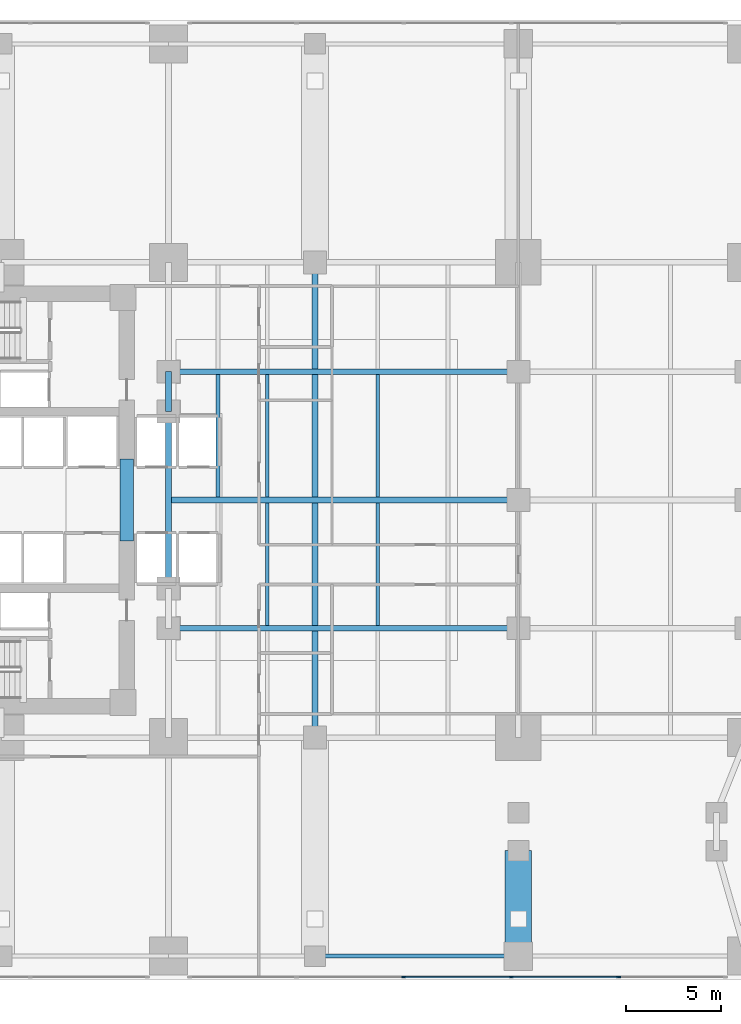
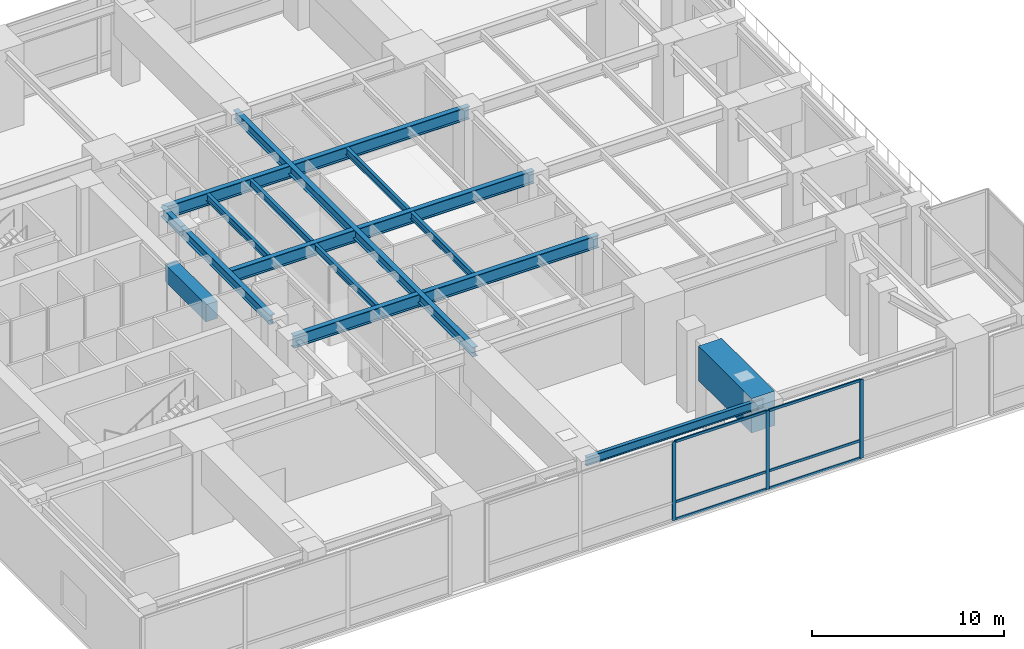
# One storey, part 3 of 14: 14 beams, 9 members, 1 element without a shape of its own.
"""IFC4 building model written with IfcOpenShell, lengths in metres."""

from ifc_helpers import new_model, si_unit, direction, frame, origin, origin_2d, place, context, subcontext, project, spatial, rectangle, i_section, extrude, material, layer, layer_set, material_profile, profile_set, type_object, element, aggregate, save


model = new_model("IFC4")

# Units and contexts
model_context = context("Model", 3, precision=1e-05, world=origin(), true_north=direction((0.0, 1.0)))
body_context = subcontext(model_context, "Body", "Model", "MODEL_VIEW")
ifc_project = project(units=[si_unit("LENGTHUNIT", "METRE"), si_unit("AREAUNIT", "SQUARE_METRE"), si_unit("VOLUMEUNIT", "CUBIC_METRE"), si_unit("PLANEANGLEUNIT", "RADIAN"), si_unit("MASSUNIT", "GRAM", prefix="KILO")], contexts=[model_context])

# Site, building, storey
site_placement = place(None, origin())
site = spatial("IfcSite", under=ifc_project, at=site_placement, CompositionType="ELEMENT")
building_placement = place(site_placement, origin())
building = spatial("IfcBuilding", under=site, at=building_placement, Name="Kinhvarn Gate Tower", CompositionType="ELEMENT")
storey_placement = place(building_placement, frame((0.0, 0.0, 20.39990234375)))
storey = spatial("IfcBuildingStorey", under=building, at=storey_placement, Name="L04", CompositionType="ELEMENT", Elevation=20.39990234375)

# Beams
ifc_material_1 = material(Name="Concrete C70/85", Category="concrete")
ifc_material_profile_1 = material_profile(ifc_material_1, rectangle(XDim=0.699951171875, YDim=1.10009765625, at=origin_2d()), Name="RC 700x1100")
ifc_profile_set_1 = profile_set([ifc_material_profile_1], Name="Concrete C70/85")
beam_type_1 = type_object("IfcBeamType", Name="BM-CB-1100", PredefinedType="LINTEL", material=ifc_profile_set_1)
beam_1_placement = place(storey_placement, frame((17.60009765625, 23.10009765625, 4.47021484375), z_axis=(0.0, 1.0, 0.0), x_axis=(-1.0, 0.0, 0.0)))
element("IfcBeam", 1, at=beam_1_placement, inside=storey, type_object=beam_type_1, Name="Core East Portal Coupling Beam L04", PredefinedType="LINTEL", context=body_context, shape_type="SweptSolid", body=[
    extrude(rectangle(XDim=0.699951171875, YDim=1.10009765625, at=origin_2d()), origin(), (0.0, 0.0, 1.0), 4.2998046875),
])
ifc_material_2 = material(Name="Concrete C60/75", Category="concrete")
ifc_material_profile_2 = material_profile(ifc_material_2, rectangle(XDim=1.39990234375, YDim=2.199951171875, at=origin_2d()), Name="RC 1400x2200")
ifc_profile_set_2 = profile_set([ifc_material_profile_2], Name="Concrete C60/75")
beam_type_2 = type_object("IfcBeamType", Name="BM-TG-2200", PredefinedType="BEAM", material=ifc_profile_set_2)
beam_2_placement = place(storey_placement, frame((38.199951171875, 1.25, 4.10009765625), z_axis=(0.0, 1.0, 0.0), x_axis=(-1.0, 0.0, 0.0)))
element("IfcBeam", 2, at=beam_2_placement, inside=storey, type_object=beam_type_2, Name="Setback Transfer Girder TG-02-L05-CS-2", PredefinedType="BEAM", context=body_context, shape_type="SweptSolid", body=[
    extrude(rectangle(XDim=1.39990234375, YDim=2.199951171875, at=origin_2d()), origin(), (0.0, 0.0, 1.0), 5.550048828125),
])

# Curtain wall, members
ifc_material_3 = material(Name="Anodised aluminium AW-6063", Category="aluminium")
ifc_layer = layer(ifc_material_3, 0.219970703125)
ifc_layer_set = layer_set([ifc_layer], Name="Anodised aluminium AW-6063")
curtain_wall_type = type_object("IfcCurtainWallType", Name="CW-SYS-1", PredefinedType="NOTDEFINED", material=ifc_layer_set)
curtain_wall_placement = place(storey_placement, origin())
curtain_wall = element("IfcCurtainWall", 3, at=curtain_wall_placement, inside=storey, type_object=curtain_wall_type, Name="Curtain Wall CW1 (L04)", PredefinedType="NOTDEFINED")
ifc_material_profile_3 = material_profile(ifc_material_3, rectangle(XDim=0.080078125, YDim=0.219970703125, at=origin_2d()), Name="ALU 80x220")
ifc_profile_set_3 = profile_set([ifc_material_profile_3], Name="Anodised aluminium AW-6063")
member_type_1 = type_object("IfcMemberType", Name="CW-MUL-220", PredefinedType="MULLION", material=ifc_profile_set_3)
member_1_placement = place(storey_placement, frame((32.176025390625, 0.14990234375, 0.0), z_axis=(0.0, 0.0, 1.0), x_axis=(0.0, 1.0, 0.0)))
member_1 = element("IfcMember", 4, at=member_1_placement, type_object=member_type_1, Name="CW1 mullion 3", PredefinedType="MULLION", context=body_context, shape_type="SweptSolid", body=[
    extrude(rectangle(XDim=0.080078125, YDim=0.219970703125, at=origin_2d()), origin(), (0.0, 0.0, 1.0), 5.02001953125),
])
member_2_placement = place(storey_placement, frame((37.823974609375, 0.14990234375, 0.0), z_axis=(0.0, 0.0, 1.0), x_axis=(0.0, 1.0, 0.0)))
member_2 = element("IfcMember", 5, at=member_2_placement, type_object=member_type_1, Name="CW1 mullion 4", PredefinedType="MULLION", context=body_context, shape_type="SweptSolid", body=[
    extrude(rectangle(XDim=0.080078125, YDim=0.219970703125, at=origin_2d()), origin(), (0.0, 0.0, 1.0), 5.02001953125),
])
member_3_placement = place(storey_placement, frame((43.471923828125, 0.14990234375, 0.0), z_axis=(0.0, 0.0, 1.0), x_axis=(0.0, 1.0, 0.0)))
member_3 = element("IfcMember", 6, at=member_3_placement, type_object=member_type_1, Name="CW1 mullion 5", PredefinedType="MULLION", context=body_context, shape_type="SweptSolid", body=[
    extrude(rectangle(XDim=0.080078125, YDim=0.219970703125, at=origin_2d()), origin(), (0.0, 0.0, 1.0), 5.02001953125),
])
ifc_material_profile_4 = material_profile(ifc_material_3, rectangle(XDim=0.080078125, YDim=0.159912109375, at=origin_2d()), Name="ALU 80x160")
ifc_profile_set_4 = profile_set([ifc_material_profile_4], Name="Anodised aluminium AW-6063")
member_type_2 = type_object("IfcMemberType", Name="CW-TRN-160", PredefinedType="USERDEFINED", material=ifc_profile_set_4)
member_4_placement = place(storey_placement, frame((32.216064453125, 0.14990234375, 0.0400390625), z_axis=(1.0, 0.0, 0.0), x_axis=(0.0, 1.0, 0.0)))
member_4 = element("IfcMember", 7, at=member_4_placement, type_object=member_type_2, Name="CW1 transom 3.1", ObjectType="TRANSOM", PredefinedType="USERDEFINED", context=body_context, shape_type="SweptSolid", body=[
    extrude(rectangle(XDim=0.080078125, YDim=0.159912109375, at=origin_2d()), origin(), (0.0, 0.0, 1.0), 5.56787109375),
])
member_5_placement = place(storey_placement, frame((32.216064453125, 0.14990234375, 1.150146484375), z_axis=(1.0, 0.0, 0.0), x_axis=(0.0, 1.0, 0.0)))
member_5 = element("IfcMember", 8, at=member_5_placement, type_object=member_type_2, Name="CW1 transom 3.2", ObjectType="TRANSOM", PredefinedType="USERDEFINED", context=body_context, shape_type="SweptSolid", body=[
    extrude(rectangle(XDim=0.080078125, YDim=0.159912109375, at=origin_2d()), origin(), (0.0, 0.0, 1.0), 5.56787109375),
])
member_6_placement = place(storey_placement, frame((32.216064453125, 0.14990234375, 4.97998046875), z_axis=(1.0, 0.0, 0.0), x_axis=(0.0, 1.0, 0.0)))
member_6 = element("IfcMember", 9, at=member_6_placement, type_object=member_type_2, Name="CW1 transom 3.3", ObjectType="TRANSOM", PredefinedType="USERDEFINED", context=body_context, shape_type="SweptSolid", body=[
    extrude(rectangle(XDim=0.080078125, YDim=0.159912109375, at=origin_2d()), origin(), (0.0, 0.0, 1.0), 5.56787109375),
])
member_7_placement = place(storey_placement, frame((37.864013671875, 0.14990234375, 0.0400390625), z_axis=(1.0, 0.0, 0.0), x_axis=(0.0, 1.0, 0.0)))
member_7 = element("IfcMember", 10, at=member_7_placement, type_object=member_type_2, Name="CW1 transom 4.1", ObjectType="TRANSOM", PredefinedType="USERDEFINED", context=body_context, shape_type="SweptSolid", body=[
    extrude(rectangle(XDim=0.080078125, YDim=0.159912109375, at=origin_2d()), origin(), (0.0, 0.0, 1.0), 5.56787109375),
])
member_8_placement = place(storey_placement, frame((37.864013671875, 0.14990234375, 1.150146484375), z_axis=(1.0, 0.0, 0.0), x_axis=(0.0, 1.0, 0.0)))
member_8 = element("IfcMember", 11, at=member_8_placement, type_object=member_type_2, Name="CW1 transom 4.2", ObjectType="TRANSOM", PredefinedType="USERDEFINED", context=body_context, shape_type="SweptSolid", body=[
    extrude(rectangle(XDim=0.080078125, YDim=0.159912109375, at=origin_2d()), origin(), (0.0, 0.0, 1.0), 5.56787109375),
])
member_9_placement = place(storey_placement, frame((37.864013671875, 0.14990234375, 4.97998046875), z_axis=(1.0, 0.0, 0.0), x_axis=(0.0, 1.0, 0.0)))
member_9 = element("IfcMember", 12, at=member_9_placement, type_object=member_type_2, Name="CW1 transom 4.3", ObjectType="TRANSOM", PredefinedType="USERDEFINED", context=body_context, shape_type="SweptSolid", body=[
    extrude(rectangle(XDim=0.080078125, YDim=0.159912109375, at=origin_2d()), origin(), (0.0, 0.0, 1.0), 5.56787109375),
])
aggregate(curtain_wall, [member_1, member_2, member_3, member_4, member_5, member_6, member_7, member_8, member_9])

# Beams
ifc_material_4 = material(Name="Steel S355", Category="steel")
ifc_material_profile_5 = material_profile(ifc_material_4, i_section(OverallWidth=0.300048828125, OverallDepth=0.60009765625, WebThickness=0.015380859375, FlangeThickness=0.030029296875, at=origin_2d()), Name="HEB 600")
ifc_profile_set_5 = profile_set([ifc_material_profile_5], Name="Steel S355")
beam_type_3 = type_object("IfcBeamType", Name="STL-HEB600", PredefinedType="BEAM", material=ifc_profile_set_5)
beam_3_placement = place(storey_placement, frame((19.800048828125, 20.60009765625, 4.72021484375), z_axis=(0.0, 1.0, 0.0), x_axis=(-1.0, 0.0, 0.0)))
element("IfcBeam", 13, at=beam_3_placement, inside=storey, type_object=beam_type_3, Name="Floor Beam PG-16 (L04 APW-4)", PredefinedType="BEAM", context=body_context, shape_type="SweptSolid", body=[
    extrude(i_section(OverallWidth=0.300048828125, OverallDepth=0.60009765625, WebThickness=0.015380859375, FlangeThickness=0.030029296875, at=origin_2d()), origin(), (0.0, 0.0, 1.0), 9.2998046875),
])
beam_4_placement = place(storey_placement, frame((19.800048828125, 29.89990234375, 4.72021484375), z_axis=(0.0, 1.0, 0.0), x_axis=(-1.0, 0.0, 0.0)))
element("IfcBeam", 14, at=beam_4_placement, inside=storey, type_object=beam_type_3, Name="Floor Beam PG-16 (L04 APW-5)", PredefinedType="BEAM", context=body_context, shape_type="SweptSolid", body=[
    extrude(i_section(OverallWidth=0.300048828125, OverallDepth=0.60009765625, WebThickness=0.015380859375, FlangeThickness=0.030029296875, at=origin_2d()), origin(), (0.0, 0.0, 1.0), 2.10009765625),
])
beam_5_placement = place(storey_placement, frame((27.5, 12.75, 4.72021484375), z_axis=(0.0, 1.0, 0.0), x_axis=(-1.0, 0.0, 0.0)))
element("IfcBeam", 15, at=beam_5_placement, inside=storey, type_object=beam_type_3, Name="Floor Beam PG-16 (L04 NS27-M)", PredefinedType="BEAM", context=body_context, shape_type="SweptSolid", body=[
    extrude(i_section(OverallWidth=0.300048828125, OverallDepth=0.60009765625, WebThickness=0.015380859375, FlangeThickness=0.030029296875, at=origin_2d()), origin(), (0.0, 0.0, 1.0), 25.0),
])
ifc_material_profile_6 = material_profile(ifc_material_4, i_section(OverallWidth=0.300048828125, OverallDepth=0.800048828125, WebThickness=0.017578125, FlangeThickness=0.032958984375, at=origin_2d()), Name="HEB 800")
ifc_profile_set_6 = profile_set([ifc_material_profile_6], Name="Steel S355")
beam_type_4 = type_object("IfcBeamType", Name="STL-HEB800", PredefinedType="BEAM", material=ifc_profile_set_6)
for number, where, z_axis, x_axis, name in (
    (16, (19.800048828125, 18.5, 4.6201171875), (1.0, 0.0, 0.0), (0.0, 1.0, 0.0), "Floor Beam PG-19 (L04 BM-EW1-18)"),
    (17, (19.800048828125, 25.25, 4.6201171875), (1.0, 0.0, 0.0), (0.0, 1.0, 0.0), "Floor Beam PG-19 (L04 BM-EW1-25)"),
    (18, (19.800048828125, 32.0, 4.6201171875), (1.0, 0.0, 0.0), (0.0, 1.0, 0.0), "Floor Beam PG-19 (L04 BM-EW1-32)"),
):
    element("IfcBeam", number, at=place(storey_placement, frame(where, z_axis=z_axis, x_axis=x_axis)), inside=storey, type_object=beam_type_4, Name=name, PredefinedType="BEAM", context=body_context, shape_type="SweptSolid", body=[
        extrude(i_section(OverallWidth=0.300048828125, OverallDepth=0.800048828125, WebThickness=0.017578125, FlangeThickness=0.032958984375, at=origin_2d()), origin(), (0.0, 0.0, 1.0), 18.39990234375),
    ])
ifc_material_profile_7 = material_profile(ifc_material_4, i_section(OverallWidth=0.18994140625, OverallDepth=0.449951171875, WebThickness=0.009521484375, FlangeThickness=0.0146484375, at=origin_2d()), Name="IPE 450")
ifc_profile_set_7 = profile_set([ifc_material_profile_7], Name="Steel S355")
beam_type_5 = type_object("IfcBeamType", Name="STL-IPE450", PredefinedType="JOIST", material=ifc_profile_set_7)
for number, where, z_axis, x_axis, name in (
    (19, (25.0, 18.64990234375, 4.795166015625), (0.0, 1.0, 0.0), (-1.0, 0.0, 0.0), "Floor Joist SB-06 (L04 J250-18)"),
    (20, (30.800048828125, 18.64990234375, 4.795166015625), (0.0, 1.0, 0.0), (-1.0, 0.0, 0.0), "Floor Joist SB-06 (L04 J308-18)"),
    (21, (22.39990234375, 25.39990234375, 4.795166015625), (0.0, 1.0, 0.0), (-1.0, 0.0, 0.0), "Floor Joist SB-06 (L04 J224-25)"),
    (22, (25.0, 25.39990234375, 4.795166015625), (0.0, 1.0, 0.0), (-1.0, 0.0, 0.0), "Floor Joist SB-06 (L04 J250-25)"),
    (23, (30.800048828125, 25.39990234375, 4.795166015625), (0.0, 1.0, 0.0), (-1.0, 0.0, 0.0), "Floor Joist SB-06 (L04 J308-25)"),
):
    element("IfcBeam", number, at=place(storey_placement, frame(where, z_axis=z_axis, x_axis=x_axis)), inside=storey, type_object=beam_type_5, Name=name, PredefinedType="JOIST", context=body_context, shape_type="SweptSolid", body=[
        extrude(i_section(OverallWidth=0.18994140625, OverallDepth=0.449951171875, WebThickness=0.009521484375, FlangeThickness=0.0146484375, at=origin_2d()), origin(), (0.0, 0.0, 1.0), 6.4501953125),
    ])
ifc_material_profile_8 = material_profile(ifc_material_4, i_section(OverallWidth=0.2099609375, OverallDepth=0.550048828125, WebThickness=0.010986328125, FlangeThickness=0.01708984375, at=origin_2d()), Name="IPE 550")
ifc_profile_set_8 = profile_set([ifc_material_profile_8], Name="Steel S355")
beam_type_6 = type_object("IfcBeamType", Name="STL-IPE550", PredefinedType="SPANDREL", material=ifc_profile_set_8)
beam_6_placement = place(storey_placement, frame((27.5, 1.25, 4.7451171875), z_axis=(1.0, 0.0, 0.0), x_axis=(0.0, 1.0, 0.0)))
element("IfcBeam", 24, at=beam_6_placement, inside=storey, type_object=beam_type_6, Name="Floor Spandrel SB-08 (L04 BS-SP2)", PredefinedType="SPANDREL", context=body_context, shape_type="SweptSolid", body=[
    extrude(i_section(OverallWidth=0.2099609375, OverallDepth=0.550048828125, WebThickness=0.010986328125, FlangeThickness=0.01708984375, at=origin_2d()), origin(), (0.0, 0.0, 1.0), 10.699951171875),
])

save(model, "model.ifc")
